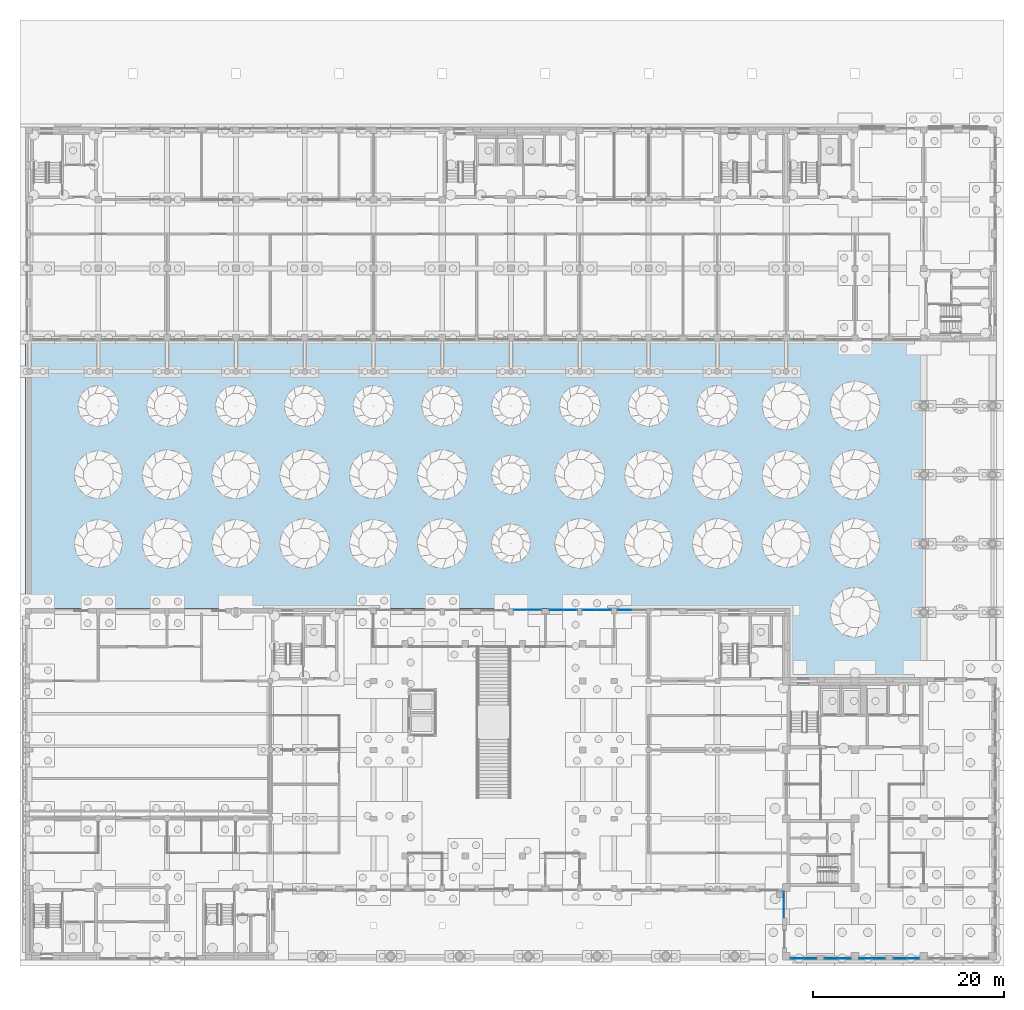
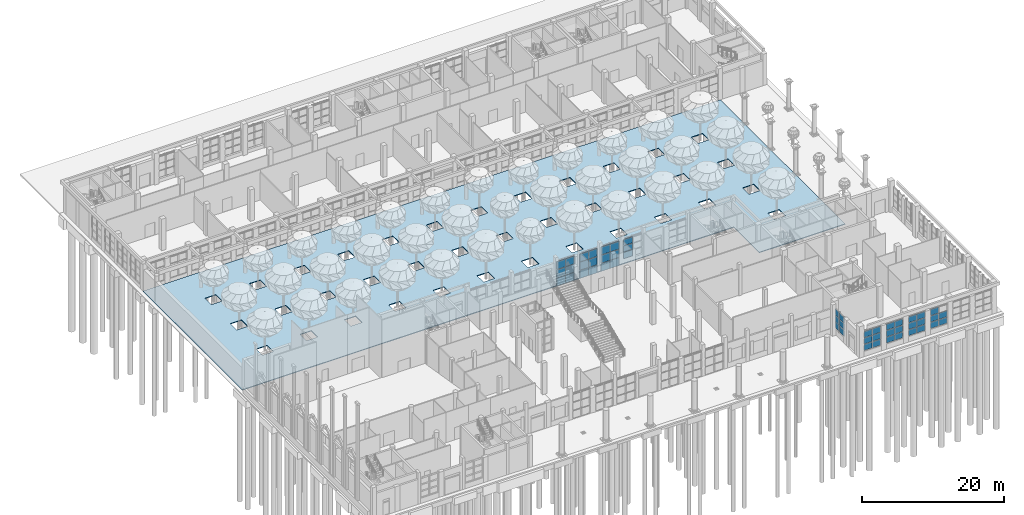
# One storey, part 33 of 80: 50 plates, 1 slab, 9 elements without a shape of their own.
"""IFC4 building model written with IfcOpenShell, lengths in metres."""

from ifc_helpers import new_model, si_unit, direction, frame, origin, origin_2d, place, context, subcontext, project, spatial, polyline, rectangle, outline, extrude, material, layer, layer_set, type_object, element, aggregate, save


model = new_model("IFC4")

# Units and contexts
model_context = context("Model", 3, precision=1e-05, world=origin(), true_north=direction((0.0, 1.0)))
body_context = subcontext(model_context, "Body", "Model", "MODEL_VIEW")
ifc_project = project(units=[si_unit("LENGTHUNIT", "METRE"), si_unit("AREAUNIT", "SQUARE_METRE"), si_unit("VOLUMEUNIT", "CUBIC_METRE"), si_unit("PLANEANGLEUNIT", "RADIAN"), si_unit("MASSUNIT", "GRAM", prefix="KILO")], contexts=[model_context])

# Site, building, storey
site_placement = place(None, origin())
site = spatial("IfcSite", under=ifc_project, at=site_placement, CompositionType="ELEMENT")
building_placement = place(site_placement, origin())
building = spatial("IfcBuilding", under=site, at=building_placement, Name="Ussher Court Research Institute", CompositionType="ELEMENT")
storey_placement = place(building_placement, origin())
storey = spatial("IfcBuildingStorey", under=building, at=storey_placement, Name="L00", CompositionType="ELEMENT", Elevation=0.0)

# Curtain wall, plates
ifc_material_1 = material(Name="Bronze anodised aluminium with acoustic laminated glass", Category="aluminium")
ifc_layer_1 = layer(ifc_material_1, 0.1201171875)
ifc_layer_set_1 = layer_set([ifc_layer_1], Name="Bronze anodised aluminium with acoustic laminated glass")
curtain_wall_type_1 = type_object("IfcCurtainWallType", Name="Curtain wall reading link court front ground floor", PredefinedType="NOTDEFINED", material=ifc_layer_set_1)
curtain_wall_1_placement = place(storey_placement, origin())
curtain_wall_1 = element("IfcCurtainWall", 1, at=curtain_wall_1_placement, inside=storey, type_object=curtain_wall_type_1, Name="Curtain wall CW6 L00", PredefinedType="NOTDEFINED")
ifc_material_2 = material(Name="Acoustic laminated double glazed unit")
ifc_layer_2 = layer(ifc_material_2, 0.0458984375)
ifc_layer_set_2 = layer_set([ifc_layer_2], Name="Acoustic laminated double glazed unit")
plate_type_1 = type_object("IfcPlateType", Name="Acoustic laminated glazing panel 46 mm", PredefinedType="CURTAIN_PANEL", material=ifc_layer_set_2)
plate_1_placement = place(storey_placement, frame((65.277587890625, 40.25, 0.9599609375), z_axis=(0.0, 0.0, 1.0), x_axis=(1.0, 0.0, 0.0)))
plate_1 = element("IfcPlate", 2, at=plate_1_placement, type_object=plate_type_1, Name="CW6 panel 1.1", PredefinedType="CURTAIN_PANEL", context=body_context, shape_type="SweptSolid", body=[
    extrude(rectangle(XDim=1.43505859375, YDim=0.0458984375, at=origin_2d()), origin(), (0.0, 0.0, 1.0), 1.043212890625),
])
plate_2_placement = place(storey_placement, frame((65.277587890625, 40.25, 2.0634765625), z_axis=(0.0, 0.0, 1.0), x_axis=(1.0, 0.0, 0.0)))
plate_2 = element("IfcPlate", 3, at=plate_2_placement, type_object=plate_type_1, Name="CW6 panel 1.2", PredefinedType="CURTAIN_PANEL", context=body_context, shape_type="SweptSolid", body=[
    extrude(rectangle(XDim=1.43505859375, YDim=0.0458984375, at=origin_2d()), origin(), (0.0, 0.0, 1.0), 1.073486328125),
])
plate_3_placement = place(storey_placement, frame((65.277587890625, 40.25, 3.19677734375), z_axis=(0.0, 0.0, 1.0), x_axis=(1.0, 0.0, 0.0)))
plate_3 = element("IfcPlate", 4, at=plate_3_placement, type_object=plate_type_1, Name="CW6 panel 1.3", PredefinedType="CURTAIN_PANEL", context=body_context, shape_type="SweptSolid", body=[
    extrude(rectangle(XDim=1.43505859375, YDim=0.0458984375, at=origin_2d()), origin(), (0.0, 0.0, 1.0), 1.043212890625),
])
aggregate(curtain_wall_1, [plate_1, plate_2, plate_3])

# Slab
ifc_material_3 = material(Name="Precast concrete C30/37 paving", Category="concrete")
ifc_layer_3 = layer(ifc_material_3, 0.1201171875)
ifc_layer_set_3 = layer_set([ifc_layer_3], Name="Precast concrete C30/37 paving")
slab_type = type_object("IfcSlabType", Name="External paving slab 120 pedestrian", PredefinedType="BASESLAB", material=ifc_layer_set_3)
slab_placement = place(storey_placement, frame((0.0, 0.0, -0.1201171875)))
element("IfcSlab", 5, at=slab_placement, inside=storey, type_object=slab_type, Name="Court paving", PredefinedType="BASESLAB", context=body_context, shape_type="SweptSolid", body=[
    extrude(outline(polyline([(96.60009765625, 33.199951171875), (96.60009765625, 68.39990234375), (96.199951171875, 68.39990234375), (82.60009765625, 68.39990234375), (81.800048828125, 68.39990234375), (2.60009765625, 68.39990234375), (2.60009765625, 40.39990234375), (27.800048828125, 40.39990234375), (28.60009765625, 40.39990234375), (35.800048828125, 40.39990234375), (38.60009765625, 40.39990234375), (39.39990234375, 40.39990234375), (63.800048828125, 40.39990234375), (64.60009765625, 40.39990234375), (74.60009765625, 40.39990234375), (82.60009765625, 40.39990234375), (82.60009765625, 33.199951171875), (96.60009765625, 33.199951171875)]), holes=[polyline([(47.10009765625, 46.300048828125), (45.300048828125, 46.300048828125), (45.300048828125, 48.10009765625), (47.10009765625, 48.10009765625), (47.10009765625, 46.300048828125)]), polyline([(18.300048828125, 46.300048828125), (16.5, 46.300048828125), (16.5, 48.10009765625), (18.300048828125, 48.10009765625), (18.300048828125, 46.300048828125)]), polyline([(39.89990234375, 46.300048828125), (38.10009765625, 46.300048828125), (38.10009765625, 48.10009765625), (39.89990234375, 48.10009765625), (39.89990234375, 46.300048828125)]), polyline([(25.5, 46.300048828125), (23.699951171875, 46.300048828125), (23.699951171875, 48.10009765625), (25.5, 48.10009765625), (25.5, 46.300048828125)]), polyline([(32.699951171875, 46.300048828125), (30.89990234375, 46.300048828125), (30.89990234375, 48.10009765625), (32.699951171875, 48.10009765625), (32.699951171875, 46.300048828125)]), polyline([(11.10009765625, 46.300048828125), (9.300048828125, 46.300048828125), (9.300048828125, 48.10009765625), (11.10009765625, 48.10009765625), (11.10009765625, 46.300048828125)]), polyline([(32.699951171875, 53.5), (30.89990234375, 53.5), (30.89990234375, 55.300048828125), (32.699951171875, 55.300048828125), (32.699951171875, 53.5)]), polyline([(52.5, 53.5), (52.5, 55.300048828125), (54.300048828125, 55.300048828125), (54.300048828125, 53.5), (52.5, 53.5)]), polyline([(45.300048828125, 53.5), (45.300048828125, 55.300048828125), (47.10009765625, 55.300048828125), (47.10009765625, 53.5), (45.300048828125, 53.5)]), polyline([(39.89990234375, 53.5), (38.10009765625, 53.5), (38.10009765625, 55.300048828125), (39.89990234375, 55.300048828125), (39.89990234375, 53.5)]), polyline([(25.5, 53.5), (23.699951171875, 53.5), (23.699951171875, 55.300048828125), (25.5, 55.300048828125), (25.5, 53.5)]), polyline([(18.300048828125, 53.5), (16.5, 53.5), (16.5, 55.300048828125), (18.300048828125, 55.300048828125), (18.300048828125, 53.5)]), polyline([(11.10009765625, 53.5), (9.300048828125, 53.5), (9.300048828125, 55.300048828125), (11.10009765625, 55.300048828125), (11.10009765625, 53.5)]), polyline([(32.699951171875, 60.699951171875), (30.89990234375, 60.699951171875), (30.89990234375, 62.5), (32.699951171875, 62.5), (32.699951171875, 60.699951171875)]), polyline([(25.5, 60.699951171875), (23.699951171875, 60.699951171875), (23.699951171875, 62.5), (25.5, 62.5), (25.5, 60.699951171875)]), polyline([(39.89990234375, 60.699951171875), (38.10009765625, 60.699951171875), (38.10009765625, 62.5), (39.89990234375, 62.5), (39.89990234375, 60.699951171875)]), polyline([(16.5, 60.699951171875), (16.5, 62.5), (18.300048828125, 62.5), (18.300048828125, 60.699951171875), (16.5, 60.699951171875)]), polyline([(45.300048828125, 60.699951171875), (45.300048828125, 62.5), (47.10009765625, 62.5), (47.10009765625, 60.699951171875), (45.300048828125, 60.699951171875)]), polyline([(11.10009765625, 60.699951171875), (9.300048828125, 60.699951171875), (9.300048828125, 62.5), (11.10009765625, 62.5), (11.10009765625, 60.699951171875)]), polyline([(90.300048828125, 39.10009765625), (88.5, 39.10009765625), (88.5, 40.89990234375), (90.300048828125, 40.89990234375), (90.300048828125, 39.10009765625)]), polyline([(54.300048828125, 46.300048828125), (52.5, 46.300048828125), (52.5, 48.10009765625), (54.300048828125, 48.10009765625), (54.300048828125, 46.300048828125)]), polyline([(90.300048828125, 46.300048828125), (88.5, 46.300048828125), (88.5, 48.10009765625), (90.300048828125, 48.10009765625), (90.300048828125, 46.300048828125)]), polyline([(83.10009765625, 46.300048828125), (81.300048828125, 46.300048828125), (81.300048828125, 48.10009765625), (83.10009765625, 48.10009765625), (83.10009765625, 46.300048828125)]), polyline([(75.89990234375, 46.300048828125), (74.10009765625, 46.300048828125), (74.10009765625, 48.10009765625), (75.89990234375, 48.10009765625), (75.89990234375, 46.300048828125)]), polyline([(68.699951171875, 46.300048828125), (66.89990234375, 46.300048828125), (66.89990234375, 48.10009765625), (68.699951171875, 48.10009765625), (68.699951171875, 46.300048828125)]), polyline([(59.699951171875, 46.300048828125), (59.699951171875, 48.10009765625), (61.5, 48.10009765625), (61.5, 46.300048828125), (59.699951171875, 46.300048828125)]), polyline([(66.89990234375, 53.5), (66.89990234375, 55.300048828125), (68.699951171875, 55.300048828125), (68.699951171875, 53.5), (66.89990234375, 53.5)]), polyline([(75.89990234375, 53.5), (74.10009765625, 53.5), (74.10009765625, 55.300048828125), (75.89990234375, 55.300048828125), (75.89990234375, 53.5)]), polyline([(83.10009765625, 53.5), (81.300048828125, 53.5), (81.300048828125, 55.300048828125), (83.10009765625, 55.300048828125), (83.10009765625, 53.5)]), polyline([(61.5, 53.5), (59.699951171875, 53.5), (59.699951171875, 55.300048828125), (61.5, 55.300048828125), (61.5, 53.5)]), polyline([(88.5, 53.5), (88.5, 55.300048828125), (90.300048828125, 55.300048828125), (90.300048828125, 53.5), (88.5, 53.5)]), polyline([(66.89990234375, 60.699951171875), (66.89990234375, 62.5), (68.699951171875, 62.5), (68.699951171875, 60.699951171875), (66.89990234375, 60.699951171875)]), polyline([(75.89990234375, 60.699951171875), (74.10009765625, 60.699951171875), (74.10009765625, 62.5), (75.89990234375, 62.5), (75.89990234375, 60.699951171875)]), polyline([(61.5, 60.699951171875), (59.699951171875, 60.699951171875), (59.699951171875, 62.5), (61.5, 62.5), (61.5, 60.699951171875)]), polyline([(83.10009765625, 60.699951171875), (81.300048828125, 60.699951171875), (81.300048828125, 62.5), (83.10009765625, 62.5), (83.10009765625, 60.699951171875)]), polyline([(88.5, 60.699951171875), (88.5, 62.5), (90.300048828125, 62.5), (90.300048828125, 60.699951171875), (88.5, 60.699951171875)]), polyline([(52.5, 60.699951171875), (52.5, 62.5), (54.300048828125, 62.5), (54.300048828125, 60.699951171875), (52.5, 60.699951171875)])]), origin(), (0.0, 0.0, 1.0), 0.1201171875),
])

# Curtain wall, plates
ifc_material_4 = material(Name="Bronze anodised aluminium with low-e glass", Category="aluminium")
ifc_layer_4 = layer(ifc_material_4, 0.1201171875)
ifc_layer_set_4 = layer_set([ifc_layer_4], Name="Bronze anodised aluminium with low-e glass")
curtain_wall_type_2 = type_object("IfcCurtainWallType", Name="Curtain wall atrium clear glazing", PredefinedType="NOTDEFINED", material=ifc_layer_set_4)
curtain_wall_2_placement = place(storey_placement, origin())
curtain_wall_2 = element("IfcCurtainWall", 6, at=curtain_wall_2_placement, inside=storey, type_object=curtain_wall_type_2, Name="Curtain wall CW2 L00", PredefinedType="NOTDEFINED")
ifc_material_5 = material(Name="Double glazed unit")
ifc_layer_5 = layer(ifc_material_5, 0.028076171875)
ifc_layer_set_5 = layer_set([ifc_layer_5], Name="Double glazed unit")
plate_type_2 = type_object("IfcPlateType", Name="Glazing panel 28 mm", PredefinedType="CURTAIN_PANEL", material=ifc_layer_set_5)
plate_4_placement = place(storey_placement, frame((58.152587890625, 40.25, 0.06005859375), z_axis=(0.0, 0.0, 1.0), x_axis=(1.0, 0.0, 0.0)))
plate_4 = element("IfcPlate", 7, at=plate_4_placement, type_object=plate_type_2, Name="CW2 panel 1.1", PredefinedType="CURTAIN_PANEL", context=body_context, shape_type="SweptSolid", body=[
    extrude(rectangle(XDim=1.385009765625, YDim=0.028076171875, at=origin_2d()), origin(), (0.0, 0.0, 1.0), 1.34326171875),
])
plate_5_placement = place(storey_placement, frame((58.152587890625, 40.25, 1.46337890625), z_axis=(0.0, 0.0, 1.0), x_axis=(1.0, 0.0, 0.0)))
plate_5 = element("IfcPlate", 8, at=plate_5_placement, type_object=plate_type_2, Name="CW2 panel 1.2", PredefinedType="CURTAIN_PANEL", context=body_context, shape_type="SweptSolid", body=[
    extrude(rectangle(XDim=1.385009765625, YDim=0.028076171875, at=origin_2d()), origin(), (0.0, 0.0, 1.0), 1.373291015625),
])
plate_6_placement = place(storey_placement, frame((58.152587890625, 40.25, 2.896728515625), z_axis=(0.0, 0.0, 1.0), x_axis=(1.0, 0.0, 0.0)))
plate_6 = element("IfcPlate", 9, at=plate_6_placement, type_object=plate_type_2, Name="CW2 panel 1.3", PredefinedType="CURTAIN_PANEL", context=body_context, shape_type="SweptSolid", body=[
    extrude(rectangle(XDim=1.385009765625, YDim=0.028076171875, at=origin_2d()), origin(), (0.0, 0.0, 1.0), 1.34326171875),
])
plate_7_placement = place(storey_placement, frame((59.597412109375, 40.25, 0.06005859375), z_axis=(0.0, 0.0, 1.0), x_axis=(1.0, 0.0, 0.0)))
plate_7 = element("IfcPlate", 10, at=plate_7_placement, type_object=plate_type_2, Name="CW2 panel 2.1", PredefinedType="CURTAIN_PANEL", context=body_context, shape_type="SweptSolid", body=[
    extrude(rectangle(XDim=1.385009765625, YDim=0.028076171875, at=origin_2d()), origin(), (0.0, 0.0, 1.0), 1.34326171875),
])
plate_8_placement = place(storey_placement, frame((59.597412109375, 40.25, 1.46337890625), z_axis=(0.0, 0.0, 1.0), x_axis=(1.0, 0.0, 0.0)))
plate_8 = element("IfcPlate", 11, at=plate_8_placement, type_object=plate_type_2, Name="CW2 panel 2.2", PredefinedType="CURTAIN_PANEL", context=body_context, shape_type="SweptSolid", body=[
    extrude(rectangle(XDim=1.385009765625, YDim=0.028076171875, at=origin_2d()), origin(), (0.0, 0.0, 1.0), 1.373291015625),
])
plate_9_placement = place(storey_placement, frame((59.597412109375, 40.25, 2.896728515625), z_axis=(0.0, 0.0, 1.0), x_axis=(1.0, 0.0, 0.0)))
plate_9 = element("IfcPlate", 12, at=plate_9_placement, type_object=plate_type_2, Name="CW2 panel 2.3", PredefinedType="CURTAIN_PANEL", context=body_context, shape_type="SweptSolid", body=[
    extrude(rectangle(XDim=1.385009765625, YDim=0.028076171875, at=origin_2d()), origin(), (0.0, 0.0, 1.0), 1.34326171875),
])
aggregate(curtain_wall_2, [plate_4, plate_5, plate_6, plate_7, plate_8, plate_9])

curtain_wall_3_placement = place(storey_placement, origin())
curtain_wall_3 = element("IfcCurtainWall", 13, at=curtain_wall_3_placement, inside=storey, type_object=curtain_wall_type_2, Name="Curtain wall CW2 L00", PredefinedType="NOTDEFINED")
plate_10_placement = place(storey_placement, frame((61.62744140625, 40.25, 0.06005859375), z_axis=(0.0, 0.0, 1.0), x_axis=(1.0, 0.0, 0.0)))
plate_10 = element("IfcPlate", 14, at=plate_10_placement, type_object=plate_type_2, Name="CW2 panel 1.1", PredefinedType="CURTAIN_PANEL", context=body_context, shape_type="SweptSolid", body=[
    extrude(rectangle(XDim=1.43505859375, YDim=0.028076171875, at=origin_2d()), origin(), (0.0, 0.0, 1.0), 1.34326171875),
])
plate_11_placement = place(storey_placement, frame((61.62744140625, 40.25, 1.46337890625), z_axis=(0.0, 0.0, 1.0), x_axis=(1.0, 0.0, 0.0)))
plate_11 = element("IfcPlate", 15, at=plate_11_placement, type_object=plate_type_2, Name="CW2 panel 1.2", PredefinedType="CURTAIN_PANEL", context=body_context, shape_type="SweptSolid", body=[
    extrude(rectangle(XDim=1.43505859375, YDim=0.028076171875, at=origin_2d()), origin(), (0.0, 0.0, 1.0), 1.373291015625),
])
plate_12_placement = place(storey_placement, frame((61.62744140625, 40.25, 2.896728515625), z_axis=(0.0, 0.0, 1.0), x_axis=(1.0, 0.0, 0.0)))
plate_12 = element("IfcPlate", 16, at=plate_12_placement, type_object=plate_type_2, Name="CW2 panel 1.3", PredefinedType="CURTAIN_PANEL", context=body_context, shape_type="SweptSolid", body=[
    extrude(rectangle(XDim=1.43505859375, YDim=0.028076171875, at=origin_2d()), origin(), (0.0, 0.0, 1.0), 1.34326171875),
])
plate_13_placement = place(storey_placement, frame((63.12255859375, 40.25, 0.06005859375), z_axis=(0.0, 0.0, 1.0), x_axis=(1.0, 0.0, 0.0)))
plate_13 = element("IfcPlate", 17, at=plate_13_placement, type_object=plate_type_2, Name="CW2 panel 2.1", PredefinedType="CURTAIN_PANEL", context=body_context, shape_type="SweptSolid", body=[
    extrude(rectangle(XDim=1.43505859375, YDim=0.028076171875, at=origin_2d()), origin(), (0.0, 0.0, 1.0), 1.34326171875),
])
plate_14_placement = place(storey_placement, frame((63.12255859375, 40.25, 1.46337890625), z_axis=(0.0, 0.0, 1.0), x_axis=(1.0, 0.0, 0.0)))
plate_14 = element("IfcPlate", 18, at=plate_14_placement, type_object=plate_type_2, Name="CW2 panel 2.2", PredefinedType="CURTAIN_PANEL", context=body_context, shape_type="SweptSolid", body=[
    extrude(rectangle(XDim=1.43505859375, YDim=0.028076171875, at=origin_2d()), origin(), (0.0, 0.0, 1.0), 1.373291015625),
])
plate_15_placement = place(storey_placement, frame((63.12255859375, 40.25, 2.896728515625), z_axis=(0.0, 0.0, 1.0), x_axis=(1.0, 0.0, 0.0)))
plate_15 = element("IfcPlate", 19, at=plate_15_placement, type_object=plate_type_2, Name="CW2 panel 2.3", PredefinedType="CURTAIN_PANEL", context=body_context, shape_type="SweptSolid", body=[
    extrude(rectangle(XDim=1.43505859375, YDim=0.028076171875, at=origin_2d()), origin(), (0.0, 0.0, 1.0), 1.34326171875),
])
aggregate(curtain_wall_3, [plate_10, plate_11, plate_12, plate_13, plate_14, plate_15])

ifc_material_6 = material(Name="Bronze anodised aluminium with tinted glass", Category="aluminium")
ifc_layer_6 = layer(ifc_material_6, 0.1201171875)
ifc_layer_set_6 = layer_set([ifc_layer_6], Name="Bronze anodised aluminium with tinted glass")
curtain_wall_type_3 = type_object("IfcCurtainWallType", Name="Curtain wall wet laboratory base storefront", PredefinedType="NOTDEFINED", material=ifc_layer_set_6)
curtain_wall_4_placement = place(storey_placement, origin())
curtain_wall_4 = element("IfcCurtainWall", 20, at=curtain_wall_4_placement, inside=storey, type_object=curtain_wall_type_3, Name="Curtain wall CW1 L00", PredefinedType="NOTDEFINED")
plate_16_placement = place(storey_placement, frame((95.485107421875, 3.75, 0.9599609375), z_axis=(0.0, 0.0, 1.0), x_axis=(-1.0, 0.0, 0.0)))
plate_16 = element("IfcPlate", 21, at=plate_16_placement, type_object=plate_type_2, Name="CW1 panel 1.1", PredefinedType="CURTAIN_PANEL", context=body_context, shape_type="SweptSolid", body=[
    extrude(rectangle(XDim=1.31005859375, YDim=0.028076171875, at=origin_2d()), origin(), (0.0, 0.0, 1.0), 1.043212890625),
])
plate_17_placement = place(storey_placement, frame((95.485107421875, 3.75, 2.0634765625), z_axis=(0.0, 0.0, 1.0), x_axis=(-1.0, 0.0, 0.0)))
plate_17 = element("IfcPlate", 22, at=plate_17_placement, type_object=plate_type_2, Name="CW1 panel 1.2", PredefinedType="CURTAIN_PANEL", context=body_context, shape_type="SweptSolid", body=[
    extrude(rectangle(XDim=1.31005859375, YDim=0.028076171875, at=origin_2d()), origin(), (0.0, 0.0, 1.0), 1.073486328125),
])
plate_18_placement = place(storey_placement, frame((94.114990234375, 3.75, 0.9599609375), z_axis=(0.0, 0.0, 1.0), x_axis=(-1.0, 0.0, 0.0)))
plate_18 = element("IfcPlate", 23, at=plate_18_placement, type_object=plate_type_2, Name="CW1 panel 2.1", PredefinedType="CURTAIN_PANEL", context=body_context, shape_type="SweptSolid", body=[
    extrude(rectangle(XDim=1.31005859375, YDim=0.028076171875, at=origin_2d()), origin(), (0.0, 0.0, 1.0), 1.043212890625),
])
plate_19_placement = place(storey_placement, frame((94.114990234375, 3.75, 2.0634765625), z_axis=(0.0, 0.0, 1.0), x_axis=(-1.0, 0.0, 0.0)))
plate_19 = element("IfcPlate", 24, at=plate_19_placement, type_object=plate_type_2, Name="CW1 panel 2.2", PredefinedType="CURTAIN_PANEL", context=body_context, shape_type="SweptSolid", body=[
    extrude(rectangle(XDim=1.31005859375, YDim=0.028076171875, at=origin_2d()), origin(), (0.0, 0.0, 1.0), 1.073486328125),
])
plate_20_placement = place(storey_placement, frame((94.114990234375, 3.75, 3.19677734375), z_axis=(0.0, 0.0, 1.0), x_axis=(-1.0, 0.0, 0.0)))
plate_20 = element("IfcPlate", 25, at=plate_20_placement, type_object=plate_type_2, Name="CW1 panel 2.3", PredefinedType="CURTAIN_PANEL", context=body_context, shape_type="SweptSolid", body=[
    extrude(rectangle(XDim=1.31005859375, YDim=0.028076171875, at=origin_2d()), origin(), (0.0, 0.0, 1.0), 1.043212890625),
])
aggregate(curtain_wall_4, [plate_16, plate_17, plate_18, plate_19, plate_20])

curtain_wall_5_placement = place(storey_placement, origin())
curtain_wall_5 = element("IfcCurtainWall", 26, at=curtain_wall_5_placement, inside=storey, type_object=curtain_wall_type_3, Name="Curtain wall CW1 L00", PredefinedType="NOTDEFINED")
plate_21_placement = place(storey_placement, frame((91.885009765625, 3.75, 0.9599609375), z_axis=(0.0, 0.0, 1.0), x_axis=(-1.0, 0.0, 0.0)))
plate_21 = element("IfcPlate", 27, at=plate_21_placement, type_object=plate_type_2, Name="CW1 panel 1.1", PredefinedType="CURTAIN_PANEL", context=body_context, shape_type="SweptSolid", body=[
    extrude(rectangle(XDim=1.31005859375, YDim=0.028076171875, at=origin_2d()), origin(), (0.0, 0.0, 1.0), 1.043212890625),
])
plate_22_placement = place(storey_placement, frame((91.885009765625, 3.75, 2.0634765625), z_axis=(0.0, 0.0, 1.0), x_axis=(-1.0, 0.0, 0.0)))
plate_22 = element("IfcPlate", 28, at=plate_22_placement, type_object=plate_type_2, Name="CW1 panel 1.2", PredefinedType="CURTAIN_PANEL", context=body_context, shape_type="SweptSolid", body=[
    extrude(rectangle(XDim=1.31005859375, YDim=0.028076171875, at=origin_2d()), origin(), (0.0, 0.0, 1.0), 1.073486328125),
])
plate_23_placement = place(storey_placement, frame((91.885009765625, 3.75, 3.19677734375), z_axis=(0.0, 0.0, 1.0), x_axis=(-1.0, 0.0, 0.0)))
plate_23 = element("IfcPlate", 29, at=plate_23_placement, type_object=plate_type_2, Name="CW1 panel 1.3", PredefinedType="CURTAIN_PANEL", context=body_context, shape_type="SweptSolid", body=[
    extrude(rectangle(XDim=1.31005859375, YDim=0.028076171875, at=origin_2d()), origin(), (0.0, 0.0, 1.0), 1.043212890625),
])
plate_24_placement = place(storey_placement, frame((90.514892578125, 3.75, 0.9599609375), z_axis=(0.0, 0.0, 1.0), x_axis=(-1.0, 0.0, 0.0)))
plate_24 = element("IfcPlate", 30, at=plate_24_placement, type_object=plate_type_2, Name="CW1 panel 2.1", PredefinedType="CURTAIN_PANEL", context=body_context, shape_type="SweptSolid", body=[
    extrude(rectangle(XDim=1.31005859375, YDim=0.028076171875, at=origin_2d()), origin(), (0.0, 0.0, 1.0), 1.043212890625),
])
plate_25_placement = place(storey_placement, frame((90.514892578125, 3.75, 2.0634765625), z_axis=(0.0, 0.0, 1.0), x_axis=(-1.0, 0.0, 0.0)))
plate_25 = element("IfcPlate", 31, at=plate_25_placement, type_object=plate_type_2, Name="CW1 panel 2.2", PredefinedType="CURTAIN_PANEL", context=body_context, shape_type="SweptSolid", body=[
    extrude(rectangle(XDim=1.31005859375, YDim=0.028076171875, at=origin_2d()), origin(), (0.0, 0.0, 1.0), 1.073486328125),
])
plate_26_placement = place(storey_placement, frame((90.514892578125, 3.75, 3.19677734375), z_axis=(0.0, 0.0, 1.0), x_axis=(-1.0, 0.0, 0.0)))
plate_26 = element("IfcPlate", 32, at=plate_26_placement, type_object=plate_type_2, Name="CW1 panel 2.3", PredefinedType="CURTAIN_PANEL", context=body_context, shape_type="SweptSolid", body=[
    extrude(rectangle(XDim=1.31005859375, YDim=0.028076171875, at=origin_2d()), origin(), (0.0, 0.0, 1.0), 1.043212890625),
])
aggregate(curtain_wall_5, [plate_21, plate_22, plate_23, plate_24, plate_25, plate_26])

curtain_wall_6_placement = place(storey_placement, origin())
curtain_wall_6 = element("IfcCurtainWall", 33, at=curtain_wall_6_placement, inside=storey, type_object=curtain_wall_type_3, Name="Curtain wall CW1 L00", PredefinedType="NOTDEFINED")
plate_27_placement = place(storey_placement, frame((88.284912109375, 3.75, 0.9599609375), z_axis=(0.0, 0.0, 1.0), x_axis=(-1.0, 0.0, 0.0)))
plate_27 = element("IfcPlate", 34, at=plate_27_placement, type_object=plate_type_2, Name="CW1 panel 1.1", PredefinedType="CURTAIN_PANEL", context=body_context, shape_type="SweptSolid", body=[
    extrude(rectangle(XDim=1.31005859375, YDim=0.028076171875, at=origin_2d()), origin(), (0.0, 0.0, 1.0), 1.043212890625),
])
plate_28_placement = place(storey_placement, frame((88.284912109375, 3.75, 2.0634765625), z_axis=(0.0, 0.0, 1.0), x_axis=(-1.0, 0.0, 0.0)))
plate_28 = element("IfcPlate", 35, at=plate_28_placement, type_object=plate_type_2, Name="CW1 panel 1.2", PredefinedType="CURTAIN_PANEL", context=body_context, shape_type="SweptSolid", body=[
    extrude(rectangle(XDim=1.31005859375, YDim=0.028076171875, at=origin_2d()), origin(), (0.0, 0.0, 1.0), 1.073486328125),
])
plate_29_placement = place(storey_placement, frame((88.284912109375, 3.75, 3.19677734375), z_axis=(0.0, 0.0, 1.0), x_axis=(-1.0, 0.0, 0.0)))
plate_29 = element("IfcPlate", 36, at=plate_29_placement, type_object=plate_type_2, Name="CW1 panel 1.3", PredefinedType="CURTAIN_PANEL", context=body_context, shape_type="SweptSolid", body=[
    extrude(rectangle(XDim=1.31005859375, YDim=0.028076171875, at=origin_2d()), origin(), (0.0, 0.0, 1.0), 1.043212890625),
])
plate_30_placement = place(storey_placement, frame((86.9150390625, 3.75, 0.9599609375), z_axis=(0.0, 0.0, 1.0), x_axis=(-1.0, 0.0, 0.0)))
plate_30 = element("IfcPlate", 37, at=plate_30_placement, type_object=plate_type_2, Name="CW1 panel 2.1", PredefinedType="CURTAIN_PANEL", context=body_context, shape_type="SweptSolid", body=[
    extrude(rectangle(XDim=1.31005859375, YDim=0.028076171875, at=origin_2d()), origin(), (0.0, 0.0, 1.0), 1.043212890625),
])
plate_31_placement = place(storey_placement, frame((86.9150390625, 3.75, 2.0634765625), z_axis=(0.0, 0.0, 1.0), x_axis=(-1.0, 0.0, 0.0)))
plate_31 = element("IfcPlate", 38, at=plate_31_placement, type_object=plate_type_2, Name="CW1 panel 2.2", PredefinedType="CURTAIN_PANEL", context=body_context, shape_type="SweptSolid", body=[
    extrude(rectangle(XDim=1.31005859375, YDim=0.028076171875, at=origin_2d()), origin(), (0.0, 0.0, 1.0), 1.073486328125),
])
plate_32_placement = place(storey_placement, frame((86.9150390625, 3.75, 3.19677734375), z_axis=(0.0, 0.0, 1.0), x_axis=(-1.0, 0.0, 0.0)))
plate_32 = element("IfcPlate", 39, at=plate_32_placement, type_object=plate_type_2, Name="CW1 panel 2.3", PredefinedType="CURTAIN_PANEL", context=body_context, shape_type="SweptSolid", body=[
    extrude(rectangle(XDim=1.31005859375, YDim=0.028076171875, at=origin_2d()), origin(), (0.0, 0.0, 1.0), 1.043212890625),
])
aggregate(curtain_wall_6, [plate_27, plate_28, plate_29, plate_30, plate_31, plate_32])

curtain_wall_7_placement = place(storey_placement, origin())
curtain_wall_7 = element("IfcCurtainWall", 40, at=curtain_wall_7_placement, inside=storey, type_object=curtain_wall_type_3, Name="Curtain wall CW1 L00", PredefinedType="NOTDEFINED")
plate_33_placement = place(storey_placement, frame((84.68505859375, 3.75, 0.9599609375), z_axis=(0.0, 0.0, 1.0), x_axis=(-1.0, 0.0, 0.0)))
plate_33 = element("IfcPlate", 41, at=plate_33_placement, type_object=plate_type_2, Name="CW1 panel 1.1", PredefinedType="CURTAIN_PANEL", context=body_context, shape_type="SweptSolid", body=[
    extrude(rectangle(XDim=1.31005859375, YDim=0.028076171875, at=origin_2d()), origin(), (0.0, 0.0, 1.0), 1.043212890625),
])
plate_34_placement = place(storey_placement, frame((84.68505859375, 3.75, 2.0634765625), z_axis=(0.0, 0.0, 1.0), x_axis=(-1.0, 0.0, 0.0)))
plate_34 = element("IfcPlate", 42, at=plate_34_placement, type_object=plate_type_2, Name="CW1 panel 1.2", PredefinedType="CURTAIN_PANEL", context=body_context, shape_type="SweptSolid", body=[
    extrude(rectangle(XDim=1.31005859375, YDim=0.028076171875, at=origin_2d()), origin(), (0.0, 0.0, 1.0), 1.073486328125),
])
plate_35_placement = place(storey_placement, frame((84.68505859375, 3.75, 3.19677734375), z_axis=(0.0, 0.0, 1.0), x_axis=(-1.0, 0.0, 0.0)))
plate_35 = element("IfcPlate", 43, at=plate_35_placement, type_object=plate_type_2, Name="CW1 panel 1.3", PredefinedType="CURTAIN_PANEL", context=body_context, shape_type="SweptSolid", body=[
    extrude(rectangle(XDim=1.31005859375, YDim=0.028076171875, at=origin_2d()), origin(), (0.0, 0.0, 1.0), 1.043212890625),
])
plate_36_placement = place(storey_placement, frame((83.31494140625, 3.75, 0.9599609375), z_axis=(0.0, 0.0, 1.0), x_axis=(-1.0, 0.0, 0.0)))
plate_36 = element("IfcPlate", 44, at=plate_36_placement, type_object=plate_type_2, Name="CW1 panel 2.1", PredefinedType="CURTAIN_PANEL", context=body_context, shape_type="SweptSolid", body=[
    extrude(rectangle(XDim=1.31005859375, YDim=0.028076171875, at=origin_2d()), origin(), (0.0, 0.0, 1.0), 1.043212890625),
])
plate_37_placement = place(storey_placement, frame((83.31494140625, 3.75, 2.0634765625), z_axis=(0.0, 0.0, 1.0), x_axis=(-1.0, 0.0, 0.0)))
plate_37 = element("IfcPlate", 45, at=plate_37_placement, type_object=plate_type_2, Name="CW1 panel 2.2", PredefinedType="CURTAIN_PANEL", context=body_context, shape_type="SweptSolid", body=[
    extrude(rectangle(XDim=1.31005859375, YDim=0.028076171875, at=origin_2d()), origin(), (0.0, 0.0, 1.0), 1.073486328125),
])
plate_38_placement = place(storey_placement, frame((83.31494140625, 3.75, 3.19677734375), z_axis=(0.0, 0.0, 1.0), x_axis=(-1.0, 0.0, 0.0)))
plate_38 = element("IfcPlate", 46, at=plate_38_placement, type_object=plate_type_2, Name="CW1 panel 2.3", PredefinedType="CURTAIN_PANEL", context=body_context, shape_type="SweptSolid", body=[
    extrude(rectangle(XDim=1.31005859375, YDim=0.028076171875, at=origin_2d()), origin(), (0.0, 0.0, 1.0), 1.043212890625),
])
aggregate(curtain_wall_7, [plate_33, plate_34, plate_35, plate_36, plate_37, plate_38])

curtain_wall_8_placement = place(storey_placement, origin())
curtain_wall_8 = element("IfcCurtainWall", 47, at=curtain_wall_8_placement, inside=storey, type_object=curtain_wall_type_3, Name="Curtain wall CW1 L00", PredefinedType="NOTDEFINED")
plate_39_placement = place(storey_placement, frame((81.949951171875, 8.715087890625, 0.9599609375), z_axis=(0.0, 0.0, 1.0), x_axis=(0.0, 1.0, 0.0)))
plate_39 = element("IfcPlate", 48, at=plate_39_placement, type_object=plate_type_2, Name="CW1 panel 1.1", PredefinedType="CURTAIN_PANEL", context=body_context, shape_type="SweptSolid", body=[
    extrude(rectangle(XDim=1.31005859375, YDim=0.028076171875, at=origin_2d()), origin(), (0.0, 0.0, 1.0), 1.043212890625),
])
plate_40_placement = place(storey_placement, frame((81.949951171875, 8.715087890625, 2.0634765625), z_axis=(0.0, 0.0, 1.0), x_axis=(0.0, 1.0, 0.0)))
plate_40 = element("IfcPlate", 49, at=plate_40_placement, type_object=plate_type_2, Name="CW1 panel 1.2", PredefinedType="CURTAIN_PANEL", context=body_context, shape_type="SweptSolid", body=[
    extrude(rectangle(XDim=1.31005859375, YDim=0.028076171875, at=origin_2d()), origin(), (0.0, 0.0, 1.0), 1.073486328125),
])
plate_41_placement = place(storey_placement, frame((81.949951171875, 8.715087890625, 3.19677734375), z_axis=(0.0, 0.0, 1.0), x_axis=(0.0, 1.0, 0.0)))
plate_41 = element("IfcPlate", 50, at=plate_41_placement, type_object=plate_type_2, Name="CW1 panel 1.3", PredefinedType="CURTAIN_PANEL", context=body_context, shape_type="SweptSolid", body=[
    extrude(rectangle(XDim=1.31005859375, YDim=0.028076171875, at=origin_2d()), origin(), (0.0, 0.0, 1.0), 1.043212890625),
])
plate_42_placement = place(storey_placement, frame((81.949951171875, 10.0849609375, 0.9599609375), z_axis=(0.0, 0.0, 1.0), x_axis=(0.0, 1.0, 0.0)))
plate_42 = element("IfcPlate", 51, at=plate_42_placement, type_object=plate_type_2, Name="CW1 panel 2.1", PredefinedType="CURTAIN_PANEL", context=body_context, shape_type="SweptSolid", body=[
    extrude(rectangle(XDim=1.31005859375, YDim=0.028076171875, at=origin_2d()), origin(), (0.0, 0.0, 1.0), 1.043212890625),
])
plate_43_placement = place(storey_placement, frame((81.949951171875, 10.0849609375, 2.0634765625), z_axis=(0.0, 0.0, 1.0), x_axis=(0.0, 1.0, 0.0)))
plate_43 = element("IfcPlate", 52, at=plate_43_placement, type_object=plate_type_2, Name="CW1 panel 2.2", PredefinedType="CURTAIN_PANEL", context=body_context, shape_type="SweptSolid", body=[
    extrude(rectangle(XDim=1.31005859375, YDim=0.028076171875, at=origin_2d()), origin(), (0.0, 0.0, 1.0), 1.073486328125),
])
plate_44_placement = place(storey_placement, frame((81.949951171875, 10.0849609375, 3.19677734375), z_axis=(0.0, 0.0, 1.0), x_axis=(0.0, 1.0, 0.0)))
plate_44 = element("IfcPlate", 53, at=plate_44_placement, type_object=plate_type_2, Name="CW1 panel 2.3", PredefinedType="CURTAIN_PANEL", context=body_context, shape_type="SweptSolid", body=[
    extrude(rectangle(XDim=1.31005859375, YDim=0.028076171875, at=origin_2d()), origin(), (0.0, 0.0, 1.0), 1.043212890625),
])
aggregate(curtain_wall_8, [plate_39, plate_40, plate_41, plate_42, plate_43, plate_44])

ifc_material_7 = material(Name="Bronze anodised aluminium with toughened glass", Category="aluminium")
ifc_layer_7 = layer(ifc_material_7, 0.10009765625)
ifc_layer_set_7 = layer_set([ifc_layer_7], Name="Bronze anodised aluminium with toughened glass")
curtain_wall_type_4 = type_object("IfcCurtainWallType", Name="Curtain wall entrance sidelight screen", PredefinedType="NOTDEFINED", material=ifc_layer_set_7)
curtain_wall_9_placement = place(storey_placement, origin())
curtain_wall_9 = element("IfcCurtainWall", 54, at=curtain_wall_9_placement, inside=storey, type_object=curtain_wall_type_4, Name="Curtain wall CW10 L00", PredefinedType="NOTDEFINED")
ifc_material_8 = material(Name="Toughened glass", Category="glass")
ifc_layer_8 = layer(ifc_material_8, 0.011962890625)
ifc_layer_set_8 = layer_set([ifc_layer_8], Name="Toughened glass")
plate_type_3 = type_object("IfcPlateType", Name="Toughened glass panel 12 mm", PredefinedType="CURTAIN_PANEL", material=ifc_layer_set_8)
plate_45_placement = place(storey_placement, frame((54.402587890625, 40.25, 0.06005859375), z_axis=(0.0, 0.0, 1.0), x_axis=(1.0, 0.0, 0.0)))
plate_45 = element("IfcPlate", 55, at=plate_45_placement, type_object=plate_type_3, Name="CW10 panel 1.1", PredefinedType="CURTAIN_PANEL", context=body_context, shape_type="SweptSolid", body=[
    extrude(rectangle(XDim=1.385009765625, YDim=0.011962890625, at=origin_2d()), origin(), (0.0, 0.0, 1.0), 1.34326171875),
])
plate_46_placement = place(storey_placement, frame((54.402587890625, 40.25, 1.46337890625), z_axis=(0.0, 0.0, 1.0), x_axis=(1.0, 0.0, 0.0)))
plate_46 = element("IfcPlate", 56, at=plate_46_placement, type_object=plate_type_3, Name="CW10 panel 1.2", PredefinedType="CURTAIN_PANEL", context=body_context, shape_type="SweptSolid", body=[
    extrude(rectangle(XDim=1.385009765625, YDim=0.011962890625, at=origin_2d()), origin(), (0.0, 0.0, 1.0), 1.373291015625),
])
plate_47_placement = place(storey_placement, frame((54.402587890625, 40.25, 2.896728515625), z_axis=(0.0, 0.0, 1.0), x_axis=(1.0, 0.0, 0.0)))
plate_47 = element("IfcPlate", 57, at=plate_47_placement, type_object=plate_type_3, Name="CW10 panel 1.3", PredefinedType="CURTAIN_PANEL", context=body_context, shape_type="SweptSolid", body=[
    extrude(rectangle(XDim=1.385009765625, YDim=0.011962890625, at=origin_2d()), origin(), (0.0, 0.0, 1.0), 1.34326171875),
])
plate_48_placement = place(storey_placement, frame((55.847412109375, 40.25, 0.06005859375), z_axis=(0.0, 0.0, 1.0), x_axis=(1.0, 0.0, 0.0)))
plate_48 = element("IfcPlate", 58, at=plate_48_placement, type_object=plate_type_3, Name="CW10 panel 2.1", PredefinedType="CURTAIN_PANEL", context=body_context, shape_type="SweptSolid", body=[
    extrude(rectangle(XDim=1.385009765625, YDim=0.011962890625, at=origin_2d()), origin(), (0.0, 0.0, 1.0), 1.34326171875),
])
plate_49_placement = place(storey_placement, frame((55.847412109375, 40.25, 1.46337890625), z_axis=(0.0, 0.0, 1.0), x_axis=(1.0, 0.0, 0.0)))
plate_49 = element("IfcPlate", 59, at=plate_49_placement, type_object=plate_type_3, Name="CW10 panel 2.2", PredefinedType="CURTAIN_PANEL", context=body_context, shape_type="SweptSolid", body=[
    extrude(rectangle(XDim=1.385009765625, YDim=0.011962890625, at=origin_2d()), origin(), (0.0, 0.0, 1.0), 1.373291015625),
])
plate_50_placement = place(storey_placement, frame((55.847412109375, 40.25, 2.896728515625), z_axis=(0.0, 0.0, 1.0), x_axis=(1.0, 0.0, 0.0)))
plate_50 = element("IfcPlate", 60, at=plate_50_placement, type_object=plate_type_3, Name="CW10 panel 2.3", PredefinedType="CURTAIN_PANEL", context=body_context, shape_type="SweptSolid", body=[
    extrude(rectangle(XDim=1.385009765625, YDim=0.011962890625, at=origin_2d()), origin(), (0.0, 0.0, 1.0), 1.34326171875),
])
aggregate(curtain_wall_9, [plate_45, plate_46, plate_47, plate_48, plate_49, plate_50])

save(model, "model.ifc")
